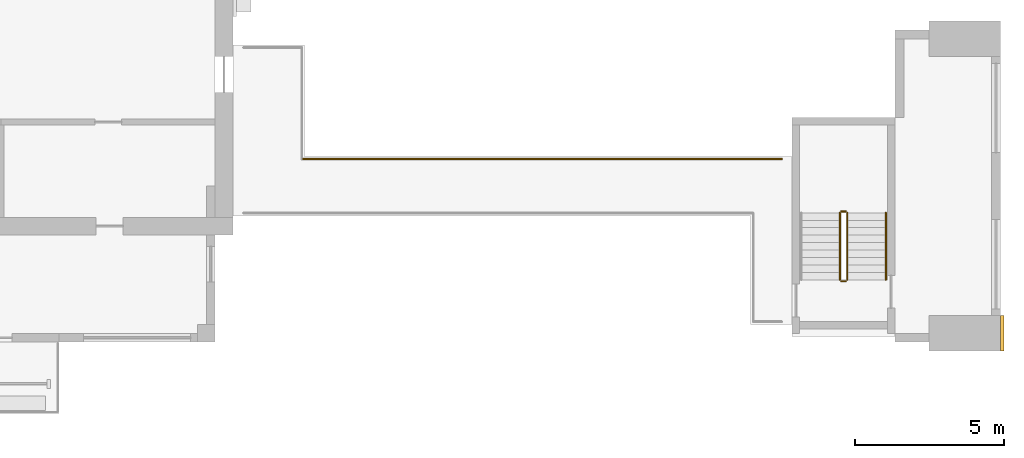
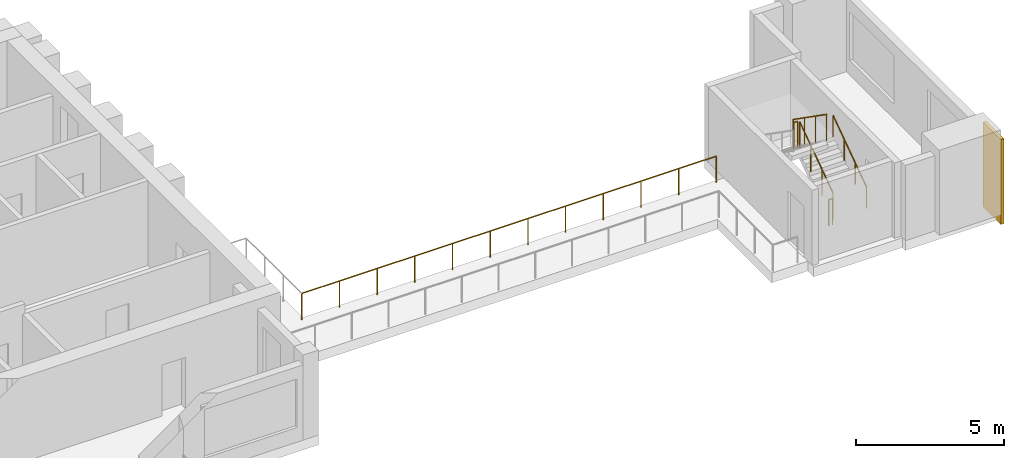
# One storey, part 7 of 8: 6 railings, 1 covering.
"""IFC4 building model written with IfcOpenShell, lengths in metres."""

from ifc_helpers import new_model, si_unit, direction, frame, origin, origin_2d, place, context, subcontext, project, spatial, rectangle, circle, extrude, source, transform, mapped, material, type_object, element, save


model = new_model("IFC4")

# Units and contexts
model_context = context("Model", 3, precision=1e-05, world=origin(), true_north=direction((0.0, 1.0)))
body_context = subcontext(model_context, "Body", "Model", "MODEL_VIEW")
ifc_project = project(units=[si_unit("LENGTHUNIT", "METRE"), si_unit("AREAUNIT", "SQUARE_METRE"), si_unit("VOLUMEUNIT", "CUBIC_METRE"), si_unit("PLANEANGLEUNIT", "RADIAN"), si_unit("MASSUNIT", "GRAM", prefix="KILO")], contexts=[model_context])

# Site, building, storey
site_placement = place(None, origin())
site = spatial("IfcSite", under=ifc_project, at=site_placement, CompositionType="ELEMENT")
building_placement = place(site_placement, origin())
building = spatial("IfcBuilding", under=site, at=building_placement, Name="Aurelian Terraces", CompositionType="ELEMENT")
storey_placement = place(building_placement, frame((0.0, 0.0, 347.5)))
storey = spatial("IfcBuildingStorey", under=building, at=storey_placement, Name="L82", CompositionType="ELEMENT", Elevation=347.5)

# Railing
ifc_material_1 = material(Name="Anodised aluminium", Category="aluminium")
railing_type_1 = type_object("IfcRailingType", Name="GUARD-1100", PredefinedType="GUARDRAIL", material=ifc_material_1)
railing_1_placement = place(storey_placement, frame((23.91, 6.16, 0.0)))
element("IfcRailing", 1, at=railing_1_placement, inside=storey, type_object=railing_type_1, Name="Terrace guard L82 PORTAL-B82.6", PredefinedType="GUARDRAIL", context=body_context, shape_type="SweptSolid", body=[
    extrude(circle(Radius=0.024, at=origin_2d()), frame((0.0, 0.0, 1.076), z_axis=(1.0, 0.0, 0.0), x_axis=(0.0, 1.0, 0.0)), (0.0, 0.0, 1.0), 16.14),
    extrude(circle(Radius=0.021, at=origin_2d()), origin(), (0.0, 0.0, 1.0), 1.052),
    extrude(circle(Radius=0.021, at=origin_2d()), frame((1.4673, 0.0, 0.0)), (0.0, 0.0, 1.0), 1.052),
    extrude(circle(Radius=0.021, at=origin_2d()), frame((2.9345, 0.0, 0.0)), (0.0, 0.0, 1.0), 1.052),
    extrude(circle(Radius=0.021, at=origin_2d()), frame((4.4018, 0.0, 0.0)), (0.0, 0.0, 1.0), 1.052),
    extrude(circle(Radius=0.021, at=origin_2d()), frame((5.8691, 0.0, 0.0)), (0.0, 0.0, 1.0), 1.052),
    extrude(circle(Radius=0.021, at=origin_2d()), frame((7.3364, 0.0, 0.0)), (0.0, 0.0, 1.0), 1.052),
    extrude(circle(Radius=0.021, at=origin_2d()), frame((8.8036, 0.0, 0.0)), (0.0, 0.0, 1.0), 1.052),
    extrude(circle(Radius=0.021, at=origin_2d()), frame((10.2709, 0.0, 0.0)), (0.0, 0.0, 1.0), 1.052),
    extrude(circle(Radius=0.021, at=origin_2d()), frame((11.7382, 0.0, 0.0)), (0.0, 0.0, 1.0), 1.052),
    extrude(circle(Radius=0.021, at=origin_2d()), frame((13.2055, 0.0, 0.0)), (0.0, 0.0, 1.0), 1.052),
    extrude(circle(Radius=0.021, at=origin_2d()), frame((14.6727, 0.0, 0.0)), (0.0, 0.0, 1.0), 1.052),
    extrude(circle(Radius=0.021, at=origin_2d()), frame((16.14, 0.0, 0.0)), (0.0, 0.0, 1.0), 1.052),
])

# Covering
ifc_material_2 = material(Name="Terracotta rainscreen cladding relief", Category="masonry")
covering_type = type_object("IfcCoveringType", Name="BAGUETTE-TC", PredefinedType="CLADDING", material=ifc_material_2)
shared_shape_1 = source(origin(), body_context, "Body", "SweptSolid", [
    extrude(rectangle(XDim=0.12, YDim=1.2, at=origin_2d()), origin(), (0.0, 0.0, 1.0), 3.5),
])
covering_placement = place(storey_placement, frame((47.46, 0.3, -0.4), z_axis=(0.0, 0.0, 1.0), x_axis=(1.0, 0.0, 0.0)))
element("IfcCovering", 2, at=covering_placement, inside=storey, type_object=covering_type, Name="BAGUETTE pier L82 2", PredefinedType="CLADDING", context=body_context, shape_type="MappedRepresentation", body=[
    mapped(shared_shape_1, transform((0.0, 0.0, 0.0), scale=1.0)),
])

# Railings
ifc_material_3 = material(Name="Stainless steel", Category="steel")
railing_type_2 = type_object("IfcRailingType", Name="Stair guard 1100", PredefinedType="GUARDRAIL", material=ifc_material_3)
shared_shape_2 = source(origin(), body_context, "Body", "SweptSolid", [
    extrude(circle(Radius=0.024, at=origin_2d()), frame((0.0, 0.0, 1.076), z_axis=(-1.0, 0.0, 0.0), x_axis=(0.0, -1.0, 0.0)), (0.0, 0.0, 1.0), 0.15),
    extrude(circle(Radius=0.021, at=origin_2d()), origin(), (0.0, 0.0, 1.0), 1.052),
    extrude(circle(Radius=0.021, at=origin_2d()), frame((-0.15, 0.0, 0.0)), (0.0, 0.0, 1.0), 1.052),
])
for number, where, name in (
    (3, (42.2, 4.4, 1.75), "L82 S2 stair guard 2"),
    (4, (42.2, 2.05, 0.0), "L82 S2 stair guard 4"),
):
    element("IfcRailing", number, at=place(storey_placement, frame(where)), inside=storey, type_object=railing_type_2, Name=name, PredefinedType="GUARDRAIL", context=body_context, shape_type="MappedRepresentation", body=[
        mapped(shared_shape_2, transform((0.0, 0.0, 0.0), scale=1.0)),
    ])
shared_shape_3 = source(origin(), body_context, "Body", "SweptSolid", [
    extrude(circle(Radius=0.024, at=origin_2d()), frame((0.0, 0.0, 1.076), z_axis=(0.0, 0.819231920519, 0.573462344363), x_axis=(-1.0, 0.0, 0.0)), (0.0, 0.0, 1.0), 2.7465),
    extrude(circle(Radius=0.021, at=origin_2d()), origin(), (0.0, 0.0, 1.0), 1.052),
    extrude(circle(Radius=0.021, at=origin_2d()), frame((0.0, 0.75, 0.525)), (0.0, 0.0, 1.0), 1.052),
    extrude(circle(Radius=0.021, at=origin_2d()), frame((0.0, 1.5, 1.05)), (0.0, 0.0, 1.0), 1.052),
    extrude(circle(Radius=0.021, at=origin_2d()), frame((0.0, 2.25, 1.575)), (0.0, 0.0, 1.0), 1.052),
])
railing_2_placement = place(storey_placement, frame((42.25, 2.1, 0.175)))
element("IfcRailing", 5, at=railing_2_placement, inside=storey, type_object=railing_type_2, Name="L82 S2 stair guard 1", PredefinedType="GUARDRAIL", context=body_context, shape_type="MappedRepresentation", body=[
    mapped(shared_shape_3, transform((0.0, 0.0, 0.0), scale=1.0)),
])
shared_shape_4 = source(origin(), body_context, "Body", "SweptSolid", [
    extrude(circle(Radius=0.024, at=origin_2d()), frame((0.0, 0.0, 1.076), z_axis=(0.0, -0.819231920519, 0.573462344363), x_axis=(1.0, 0.0, 0.0)), (0.0, 0.0, 1.0), 2.7465),
    extrude(circle(Radius=0.021, at=origin_2d()), origin(), (0.0, 0.0, 1.0), 1.052),
    extrude(circle(Radius=0.021, at=origin_2d()), frame((0.0, -0.75, 0.525)), (0.0, 0.0, 1.0), 1.052),
    extrude(circle(Radius=0.021, at=origin_2d()), frame((0.0, -1.5, 1.05)), (0.0, 0.0, 1.0), 1.052),
    extrude(circle(Radius=0.021, at=origin_2d()), frame((0.0, -2.25, 1.575)), (0.0, 0.0, 1.0), 1.052),
])
railing_3_placement = place(storey_placement, frame((42.0, 4.35, 1.925)))
element("IfcRailing", 6, at=railing_3_placement, inside=storey, type_object=railing_type_2, Name="L82 S2 stair guard 3", PredefinedType="GUARDRAIL", context=body_context, shape_type="MappedRepresentation", body=[
    mapped(shared_shape_4, transform((0.0, 0.0, 0.0), scale=1.0)),
])
railing_type_3 = type_object("IfcRailingType", Name="Stair handrail", PredefinedType="HANDRAIL", material=ifc_material_3)
shared_shape_5 = source(origin(), body_context, "Body", "SweptSolid", [
    extrude(circle(Radius=0.024, at=origin_2d()), frame((0.0, 0.0, 0.876), z_axis=(0.0, 0.819231920519, 0.573462344363), x_axis=(-1.0, 0.0, 0.0)), (0.0, 0.0, 1.0), 2.7465),
    extrude(circle(Radius=0.021, at=origin_2d()), origin(), (0.0, 0.0, 1.0), 0.852),
    extrude(circle(Radius=0.021, at=origin_2d()), frame((0.0, 0.75, 0.525)), (0.0, 0.0, 1.0), 0.852),
    extrude(circle(Radius=0.021, at=origin_2d()), frame((0.0, 1.5, 1.05)), (0.0, 0.0, 1.0), 0.852),
    extrude(circle(Radius=0.021, at=origin_2d()), frame((0.0, 2.25, 1.575)), (0.0, 0.0, 1.0), 0.852),
])
railing_4_placement = place(storey_placement, frame((43.55, 2.1, 0.175)))
element("IfcRailing", 7, at=railing_4_placement, inside=storey, type_object=railing_type_3, Name="L82 S2 stair handrail 1", PredefinedType="HANDRAIL", context=body_context, shape_type="MappedRepresentation", body=[
    mapped(shared_shape_5, transform((0.0, 0.0, 0.0), scale=1.0)),
])

save(model, "model.ifc")
